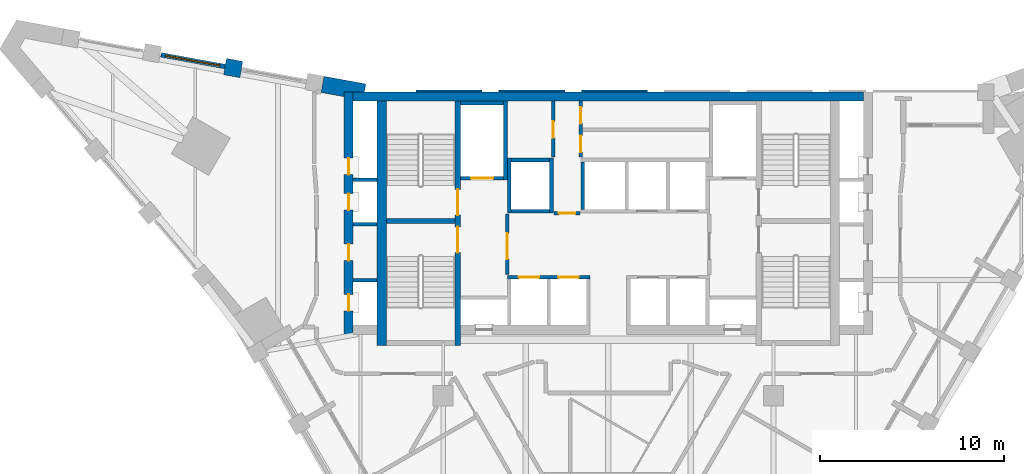
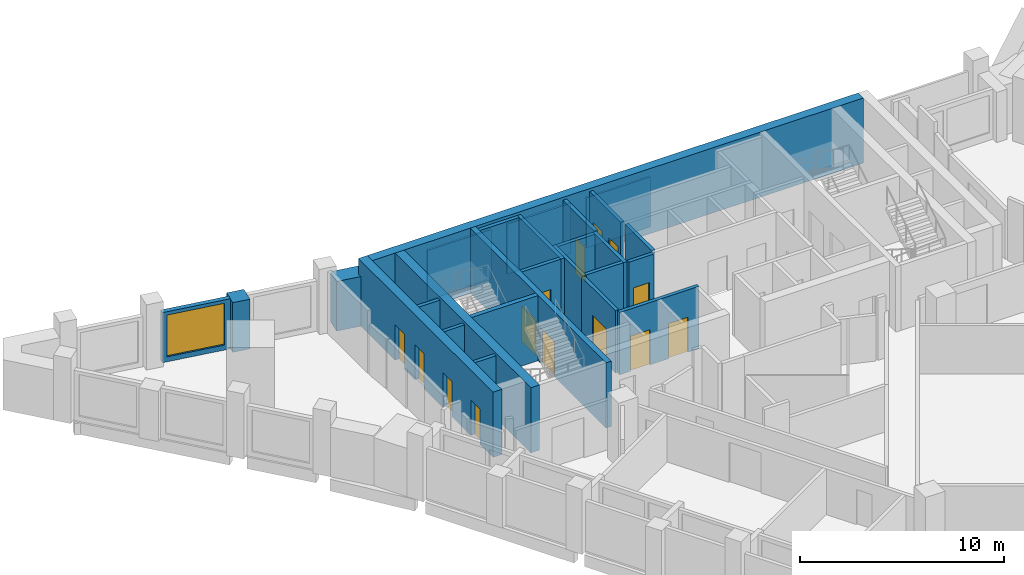
# One storey, part 6 of 9: 27 walls, 14 doors, 1 window, 15 openings.
"""IFC4 building model written with IfcOpenShell, lengths in metres."""

from ifc_helpers import new_model, si_unit, direction, frame, frame_2d, origin, place, context, subcontext, project, spatial, polyline, rectangle, outline, extrude, material, layer, layer_set, type_object, element, fill, save


model = new_model("IFC4")

# Units and contexts
model_context = context("Model", 3, precision=1e-05, world=origin(), true_north=direction((0.0, 1.0)))
body_context = subcontext(model_context, "Body", "Model", "MODEL_VIEW")
ifc_project = project(units=[si_unit("LENGTHUNIT", "METRE"), si_unit("AREAUNIT", "SQUARE_METRE"), si_unit("VOLUMEUNIT", "CUBIC_METRE"), si_unit("PLANEANGLEUNIT", "RADIAN"), si_unit("MASSUNIT", "GRAM", prefix="KILO")], contexts=[model_context])

# Site, building, storey
site_placement = place(None, origin())
site = spatial("IfcSite", under=ifc_project, at=site_placement, CompositionType="ELEMENT")
building_placement = place(site_placement, origin())
building = spatial("IfcBuilding", under=site, at=building_placement, Name="Calabash Gate Tower", CompositionType="ELEMENT")
storey_placement = place(building_placement, frame((0.0, 0.0, 231.5)))
storey = spatial("IfcBuildingStorey", under=building, at=storey_placement, Name="L55", CompositionType="ELEMENT", Elevation=231.5)

# Walls
ifc_material_1 = material(Name="Terracotta brick masonry, exposed face", Category="masonry")
ifc_layer_1 = layer(ifc_material_1, 0.89990234375)
ifc_layer_set_1 = layer_set([ifc_layer_1], Name="Brick end wall 900")
wall_type_1 = type_object("IfcWallType", Name="Brick end wall 900", PredefinedType="SOLIDWALL", material=ifc_layer_set_1)
wall_1_placement = place(storey_placement, frame((-20.52099609375, 19.91796875, 0.0), z_axis=(0.0, 0.0, 1.0), x_axis=(0.180126650564, 0.983643426124, 0.0)))
element("IfcWall", 1, at=wall_1_placement, inside=storey, type_object=wall_type_1, Name="Brick pier S16 wedge5.1", PredefinedType="SOLIDWALL", context=body_context, shape_type="SweptSolid", body=[
    extrude(rectangle(XDim=0.89990234375, YDim=0.89990234375, at=frame_2d((0.449951171875, 0.0))), origin(), (0.0, 0.0, 1.0), 2.9736328125),
])
wall_2_placement = place(storey_placement, origin())
element("IfcWall", 2, at=wall_2_placement, inside=storey, type_object=wall_type_1, Name="Brick end wall S16 1", PredefinedType="SOLIDWALL", context=body_context, shape_type="SweptSolid", body=[
    extrude(outline(polyline([(-15.651611328125, 19.02734375), (-15.65185546875, 19.027099609375), (-14.39990234375, 18.798095703125), (-14.39990234375, 19.052490234375), (-13.291015625, 19.052490234375), (-13.2099609375, 19.4951171875), (-15.489501953125, 19.912353515625), (-15.6513671875, 19.02734375), (-15.651611328125, 19.02734375)])), origin(), (0.0, 0.0, 1.0), 2.9736328125),
])
ifc_material_2 = material(Name="Concrete C70/85", Category="concrete")
ifc_layer_2 = layer(ifc_material_2, 0.25)
ifc_layer_set_2 = layer_set([ifc_layer_2], Name="Core wall 250 Concrete C70/85")
wall_type_2 = type_object("IfcWallType", Name="Core wall 250 Concrete C70/85", PredefinedType="SHEAR", material=ifc_layer_set_2)
wall_3_placement = place(storey_placement, frame((-12.10009765625, 12.027587890625, 0.0), z_axis=(0.0, 0.0, 1.0), x_axis=(1.0, 0.0, 0.0)))
element("IfcWall", 3, at=wall_3_placement, inside=storey, type_object=wall_type_2, Name="Core wall Z4-MIDW L55", PredefinedType="SHEAR", context=body_context, shape_type="SweptSolid", body=[
    extrude(rectangle(XDim=3.75, YDim=0.25, at=frame_2d((1.875, 0.0))), origin(), (0.0, 0.0, 1.0), 3.89990234375),
])

# Wall, openings, doors
ifc_material_3 = material(Name="Concrete C70/85", Category="concrete")
ifc_layer_3 = layer(ifc_material_3, 0.300048828125)
ifc_layer_set_3 = layer_set([ifc_layer_3], Name="Core wall 300 Concrete C70/85")
wall_type_3 = type_object("IfcWallType", Name="Core wall 300 Concrete C70/85", PredefinedType="SHEAR", material=ifc_layer_set_3)
wall_4_placement = place(storey_placement, frame((-8.199951171875, 5.252685546875, 0.0), z_axis=(0.0, 0.0, 1.0), x_axis=(0.0, 1.0, 0.0)))
wall_4 = element("IfcWall", 4, at=wall_4_placement, inside=storey, type_object=wall_type_3, Name="Core wall Z4-PARTW L55", PredefinedType="SHEAR", context=body_context, shape_type="SweptSolid", body=[
    extrude(rectangle(XDim=13.2998046875, YDim=0.300048828125, at=frame_2d((6.64990234375, 0.0))), origin(), (0.0, 0.0, 1.0), 3.89990234375),
])
opening_1_placement = place(wall_4_placement, frame((7.10009765625, 0.0, 0.0)))
opening_1 = element("IfcOpeningElement", 5, at=opening_1_placement, cuts=wall_4, Name="Opening O8-017", PredefinedType="OPENING", context=body_context, shape_type="SweptSolid", body=[
    extrude(rectangle(XDim=1.39990234375, YDim=2.10009765625, at=frame_2d((0.699951171875, 1.050048828125))), frame((0.0, 0.159912109375, 0.0), z_axis=(0.0, -1.0, 0.0), x_axis=(1.0, 0.0, 0.0)), (0.0, 0.0, 1.0), 0.320068359375),
])
opening_2_placement = place(wall_4_placement, frame((5.050048828125, 0.0, 0.0)))
opening_2 = element("IfcOpeningElement", 6, at=opening_2_placement, cuts=wall_4, Name="Opening O8-018", PredefinedType="OPENING", context=body_context, shape_type="SweptSolid", body=[
    extrude(rectangle(XDim=1.39990234375, YDim=2.10009765625, at=frame_2d((0.699951171875, 1.050048828125))), frame((0.0, 0.159912109375, 0.0), z_axis=(0.0, -1.0, 0.0), x_axis=(1.0, 0.0, 0.0)), (0.0, 0.0, 1.0), 0.320068359375),
])
ifc_material_4 = material(Name="Steel fire door set with fire-resisting glazing", Category="steel")
door_type_1 = type_object("IfcDoorType", Name="Fire door D05 1400x2100 FD90", OperationType="NOTDEFINED", PredefinedType="DOOR", material=ifc_material_4)
door_1_placement = place(opening_1_placement, origin())
door_1 = element("IfcDoor", 7, at=door_1_placement, inside=storey, type_object=door_type_1, Name="Exit stair door ST1", OperationType="SINGLE_SWING_LEFT", OverallHeight=2.10009765625, OverallWidth=1.39990234375, PredefinedType="DOOR", context=body_context, shape_type="SweptSolid", body=[
    extrude(rectangle(XDim=1.39990234375, YDim=2.10009765625, at=frame_2d((0.699951171875, 1.050048828125))), frame((0.0, 0.02490234375, 0.0), z_axis=(0.0, -1.0, 0.0), x_axis=(1.0, 0.0, 0.0)), (0.0, 0.0, 1.0), 0.050048828125),
])
fill(opening_1, door_1)
door_2_placement = place(opening_2_placement, origin())
door_2 = element("IfcDoor", 8, at=door_2_placement, inside=storey, type_object=door_type_1, Name="Exit stair door ST2", OperationType="SINGLE_SWING_LEFT", OverallHeight=2.10009765625, OverallWidth=1.39990234375, PredefinedType="DOOR", context=body_context, shape_type="SweptSolid", body=[
    extrude(rectangle(XDim=1.39990234375, YDim=2.10009765625, at=frame_2d((0.699951171875, 1.050048828125))), frame((0.0, 0.02490234375, 0.0), z_axis=(0.0, -1.0, 0.0), x_axis=(1.0, 0.0, 0.0)), (0.0, 0.0, 1.0), 0.050048828125),
])
fill(opening_2, door_2)

# Walls
ifc_material_5 = material(Name="Concrete C70/85", Category="concrete")
ifc_layer_4 = layer(ifc_material_5, 0.5)
ifc_layer_set_4 = layer_set([ifc_layer_4], Name="Core wall 500 Concrete C70/85")
wall_type_4 = type_object("IfcWallType", Name="Core wall 500 Concrete C70/85", PredefinedType="SHEAR", material=ifc_layer_set_4)
wall_5_placement = place(storey_placement, frame((-13.89990234375, 18.802490234375, 0.0), z_axis=(0.0, 0.0, 1.0), x_axis=(1.0, 0.0, 0.0)))
element("IfcWall", 9, at=wall_5_placement, inside=storey, type_object=wall_type_4, Name="Core wall Z4-N L55", PredefinedType="SHEAR", context=body_context, shape_type="SweptSolid", body=[
    extrude(rectangle(XDim=27.7998046875, YDim=0.5, at=frame_2d((13.89990234375, 0.0))), origin(), (0.0, 0.0, 1.0), 3.89990234375),
])
wall_6_placement = place(storey_placement, frame((-12.35009765625, 5.252685546875, 0.0), z_axis=(0.0, 0.0, 1.0), x_axis=(0.0, 1.0, 0.0)))
element("IfcWall", 10, at=wall_6_placement, inside=storey, type_object=wall_type_4, Name="Core wall Z4-COLW L55", PredefinedType="SHEAR", context=body_context, shape_type="SweptSolid", body=[
    extrude(rectangle(XDim=13.2998046875, YDim=0.5, at=frame_2d((6.64990234375, 0.0))), origin(), (0.0, 0.0, 1.0), 3.89990234375),
])

# Wall, openings, doors
wall_7_placement = place(storey_placement, frame((-14.14990234375, 5.8525390625, 0.0), z_axis=(0.0, 0.0, 1.0), x_axis=(0.0, 1.0, 0.0)))
wall_7 = element("IfcWall", 11, at=wall_7_placement, inside=storey, type_object=wall_type_4, Name="Core wall Z4-ENDW L55", PredefinedType="SHEAR", context=body_context, shape_type="SweptSolid", body=[
    extrude(rectangle(XDim=13.199951171875, YDim=0.5, at=frame_2d((6.60009765625, 0.0))), origin(), (0.0, 0.0, 1.0), 3.89990234375),
])
opening_3_placement = place(wall_7_placement, frame((1.27001953125, 0.0, 0.0)))
opening_3 = element("IfcOpeningElement", 12, at=opening_3_placement, cuts=wall_7, Name="Opening O8-005", PredefinedType="OPENING", context=body_context, shape_type="SweptSolid", body=[
    extrude(rectangle(XDim=0.89990234375, YDim=2.10009765625, at=frame_2d((0.449951171875, 1.050048828125))), frame((0.0, 0.260009765625, 0.0), z_axis=(0.0, -1.0, 0.0), x_axis=(1.0, 0.0, 0.0)), (0.0, 0.0, 1.0), 0.52001953125),
])
opening_4_placement = place(wall_7_placement, frame((4.014892578125, 0.0, 0.0)))
opening_4 = element("IfcOpeningElement", 13, at=opening_4_placement, cuts=wall_7, Name="Opening O8-006", PredefinedType="OPENING", context=body_context, shape_type="SweptSolid", body=[
    extrude(rectangle(XDim=0.89990234375, YDim=2.10009765625, at=frame_2d((0.449951171875, 1.050048828125))), frame((0.0, 0.260009765625, 0.0), z_axis=(0.0, -1.0, 0.0), x_axis=(1.0, 0.0, 0.0)), (0.0, 0.0, 1.0), 0.52001953125),
])
opening_5_placement = place(wall_7_placement, frame((6.760009765625, 0.0, 0.0)))
opening_5 = element("IfcOpeningElement", 14, at=opening_5_placement, cuts=wall_7, Name="Opening O8-007", PredefinedType="OPENING", context=body_context, shape_type="SweptSolid", body=[
    extrude(rectangle(XDim=0.89990234375, YDim=2.10009765625, at=frame_2d((0.449951171875, 1.050048828125))), frame((0.0, 0.260009765625, 0.0), z_axis=(0.0, -1.0, 0.0), x_axis=(1.0, 0.0, 0.0)), (0.0, 0.0, 1.0), 0.52001953125),
])
opening_6_placement = place(wall_7_placement, frame((8.697509765625, 0.0, 0.0)))
opening_6 = element("IfcOpeningElement", 15, at=opening_6_placement, cuts=wall_7, Name="Opening O8-008", PredefinedType="OPENING", context=body_context, shape_type="SweptSolid", body=[
    extrude(rectangle(XDim=0.89990234375, YDim=2.10009765625, at=frame_2d((0.449951171875, 1.050048828125))), frame((0.0, 0.260009765625, 0.0), z_axis=(0.0, -1.0, 0.0), x_axis=(1.0, 0.0, 0.0)), (0.0, 0.0, 1.0), 0.52001953125),
])
ifc_material_6 = material(Name="Steel fire door set with fire-resisting glazing", Category="steel")
door_type_2 = type_object("IfcDoorType", Name="Fire door D06 900x2100 FD60", OperationType="NOTDEFINED", PredefinedType="DOOR", material=ifc_material_6)
door_3_placement = place(opening_3_placement, origin())
door_3 = element("IfcDoor", 16, at=door_3_placement, inside=storey, type_object=door_type_2, Name="Comms Riser door", OperationType="SINGLE_SWING_LEFT", OverallHeight=2.10009765625, OverallWidth=0.89990234375, PredefinedType="DOOR", context=body_context, shape_type="SweptSolid", body=[
    extrude(rectangle(XDim=0.89990234375, YDim=2.10009765625, at=frame_2d((0.449951171875, 1.050048828125))), frame((0.0, 0.02490234375, 0.0), z_axis=(0.0, -1.0, 0.0), x_axis=(1.0, 0.0, 0.0)), (0.0, 0.0, 1.0), 0.050048828125),
])
fill(opening_3, door_3)
door_4_placement = place(opening_4_placement, origin())
door_4 = element("IfcDoor", 17, at=door_4_placement, inside=storey, type_object=door_type_2, Name="Cleaner's Store door", OperationType="SINGLE_SWING_LEFT", OverallHeight=2.10009765625, OverallWidth=0.89990234375, PredefinedType="DOOR", context=body_context, shape_type="SweptSolid", body=[
    extrude(rectangle(XDim=0.89990234375, YDim=2.10009765625, at=frame_2d((0.449951171875, 1.050048828125))), frame((0.0, 0.02490234375, 0.0), z_axis=(0.0, -1.0, 0.0), x_axis=(1.0, 0.0, 0.0)), (0.0, 0.0, 1.0), 0.050048828125),
])
fill(opening_4, door_4)
door_5_placement = place(opening_5_placement, origin())
door_5 = element("IfcDoor", 18, at=door_5_placement, inside=storey, type_object=door_type_2, Name="Duct Riser door", OperationType="SINGLE_SWING_LEFT", OverallHeight=2.10009765625, OverallWidth=0.89990234375, PredefinedType="DOOR", context=body_context, shape_type="SweptSolid", body=[
    extrude(rectangle(XDim=0.89990234375, YDim=2.10009765625, at=frame_2d((0.449951171875, 1.050048828125))), frame((0.0, 0.02490234375, 0.0), z_axis=(0.0, -1.0, 0.0), x_axis=(1.0, 0.0, 0.0)), (0.0, 0.0, 1.0), 0.050048828125),
])
fill(opening_5, door_5)
door_6_placement = place(opening_6_placement, origin())
door_6 = element("IfcDoor", 19, at=door_6_placement, inside=storey, type_object=door_type_2, Name="Electrical Riser door", OperationType="SINGLE_SWING_LEFT", OverallHeight=2.10009765625, OverallWidth=0.89990234375, PredefinedType="DOOR", context=body_context, shape_type="SweptSolid", body=[
    extrude(rectangle(XDim=0.89990234375, YDim=2.10009765625, at=frame_2d((0.449951171875, 1.050048828125))), frame((0.0, 0.02490234375, 0.0), z_axis=(0.0, -1.0, 0.0), x_axis=(1.0, 0.0, 0.0)), (0.0, 0.0, 1.0), 0.050048828125),
])
fill(opening_6, door_6)

# Wall, opening, window
ifc_material_7 = material(Name="Aluminium framed window wall with insulated spandrel", Category="aluminium")
ifc_layer_5 = layer(ifc_material_7, 0.25)
ifc_layer_set_5 = layer_set([ifc_layer_5], Name="Prow window wall 250")
wall_type_5 = type_object("IfcWallType", Name="Prow window wall 250", PredefinedType="ELEMENTEDWALL", material=ifc_layer_set_5)
wall_8_placement = place(storey_placement, frame((-20.880615234375, 20.441162109375, 0.0), z_axis=(0.0, 0.0, 1.0), x_axis=(-0.98366583261, 0.180004249274, 0.0)))
wall_8 = element("IfcWall", 20, at=wall_8_placement, inside=storey, type_object=wall_type_5, Name="Prow window wall S16 wedge5.2", PredefinedType="ELEMENTEDWALL", context=body_context, shape_type="SweptSolid", body=[
    extrude(rectangle(XDim=3.55224609375, YDim=0.25, at=frame_2d((1.776123046875, 0.0))), origin(), (0.0, 0.0, 1.0), 3.0),
])
opening_7_placement = place(wall_8_placement, frame((0.302001953125, 0.0, 0.300048828125)))
opening_7 = element("IfcOpeningElement", 21, at=opening_7_placement, cuts=wall_8, Name="Opening WP2", PredefinedType="OPENING", context=body_context, shape_type="SweptSolid", body=[
    extrude(rectangle(XDim=3.0, YDim=2.5, at=frame_2d((1.5, 1.25))), frame((0.0, 0.135009765625, 0.0), z_axis=(0.0, -1.0, 0.0), x_axis=(1.0, 0.0, 0.0)), (0.0, 0.0, 1.0), 0.27001953125),
])
ifc_material_8 = material(Name="Anodised aluminium frame, bronze finish, impact-rated laminated clear glazing", Category="aluminium")
window_type = type_object("IfcWindowType", Name="Window WP2 3000x2500", PartitioningType="DOUBLE_PANEL_VERTICAL", PredefinedType="WINDOW", material=ifc_material_8)
window_placement = place(opening_7_placement, origin())
window = element("IfcWindow", 22, at=window_placement, inside=storey, type_object=window_type, Name="Prow window WP2 S16 wedge5.2", OverallHeight=2.5, OverallWidth=3.0, PartitioningType="SINGLE_PANEL", PredefinedType="WINDOW", context=body_context, shape_type="SweptSolid", body=[
    extrude(rectangle(XDim=3.0, YDim=2.5, at=frame_2d((1.5, 1.25))), frame((0.0, 0.030029296875, 0.0), z_axis=(0.0, -1.0, 0.0), x_axis=(1.0, 0.0, 0.0)), (0.0, 0.0, 1.0), 0.06005859375),
])
fill(opening_7, window)

# Wall
ifc_material_9 = material(Name="Concrete C40/50", Category="concrete")
ifc_layer_6 = layer(ifc_material_9, 0.199951171875)
ifc_layer_set_6 = layer_set([ifc_layer_6], Name="Shaft wall 200 Concrete C40/50")
wall_type_6 = type_object("IfcWallType", Name="Shaft wall 200 Concrete C40/50", PredefinedType="SOLIDWALL", material=ifc_layer_set_6)
wall_9_placement = place(storey_placement, frame((-13.89990234375, 8.79248046875, 0.0), z_axis=(0.0, 0.0, 1.0), x_axis=(1.0, 0.0, 0.0)))
element("IfcWall", 23, at=wall_9_placement, inside=storey, type_object=wall_type_6, Name="Shaft wall", PredefinedType="SOLIDWALL", context=body_context, shape_type="SweptSolid", body=[
    extrude(rectangle(XDim=1.2998046875, YDim=0.199951171875, at=frame_2d((0.64990234375, 0.0))), origin(), (0.0, 0.0, 1.0), 3.72998046875),
])

# Wall, openings, doors
wall_10_placement = place(storey_placement, frame((-5.5, 8.95263671875, 0.0), z_axis=(0.0, 0.0, 1.0), x_axis=(1.0, 0.0, 0.0)))
wall_10 = element("IfcWall", 24, at=wall_10_placement, inside=storey, type_object=wall_type_6, Name="Shaft wall", PredefinedType="SOLIDWALL", context=body_context, shape_type="SweptSolid", body=[
    extrude(rectangle(XDim=4.5, YDim=0.199951171875, at=frame_2d((2.25, 0.0))), origin(), (0.0, 0.0, 1.0), 3.72998046875),
])
opening_8_placement = place(wall_10_placement, frame((0.625, 0.0, 0.0)))
opening_8 = element("IfcOpeningElement", 25, at=opening_8_placement, cuts=wall_10, Name="Opening LD-HR1", PredefinedType="OPENING", context=body_context, shape_type="SweptSolid", body=[
    extrude(rectangle(XDim=1.10009765625, YDim=2.10009765625, at=frame_2d((0.550048828125, 1.050048828125))), frame((0.0, 0.10986328125, 0.0), z_axis=(0.0, -1.0, 0.0), x_axis=(1.0, 0.0, 0.0)), (0.0, 0.0, 1.0), 0.219970703125),
])
opening_9_placement = place(wall_10_placement, frame((2.77490234375, 0.0, 0.0)))
opening_9 = element("IfcOpeningElement", 26, at=opening_9_placement, cuts=wall_10, Name="Opening LD-HR2", PredefinedType="OPENING", context=body_context, shape_type="SweptSolid", body=[
    extrude(rectangle(XDim=1.10009765625, YDim=2.10009765625, at=frame_2d((0.550048828125, 1.050048828125))), frame((0.0, 0.10986328125, 0.0), z_axis=(0.0, -1.0, 0.0), x_axis=(1.0, 0.0, 0.0)), (0.0, 0.0, 1.0), 0.219970703125),
])
ifc_material_10 = material(Name="Stainless steel sliding door leaves", Category="steel")
door_type_3 = type_object("IfcDoorType", Name="Lift landing door LS1 1100x2100 FD90", OperationType="DOUBLE_DOOR_SLIDING", PredefinedType="DOOR", material=ifc_material_10)
door_7_placement = place(opening_8_placement, origin())
door_7 = element("IfcDoor", 27, at=door_7_placement, inside=storey, type_object=door_type_3, Name="Lift landing door HR1", OperationType="DOUBLE_DOOR_SLIDING", OverallHeight=2.10009765625, OverallWidth=1.10009765625, PredefinedType="DOOR", context=body_context, shape_type="SweptSolid", body=[
    extrude(rectangle(XDim=1.10009765625, YDim=2.10009765625, at=frame_2d((0.550048828125, 1.050048828125))), frame((0.0, 0.02490234375, 0.0), z_axis=(0.0, -1.0, 0.0), x_axis=(1.0, 0.0, 0.0)), (0.0, 0.0, 1.0), 0.050048828125),
])
fill(opening_8, door_7)
door_8_placement = place(opening_9_placement, origin())
door_8 = element("IfcDoor", 28, at=door_8_placement, inside=storey, type_object=door_type_3, Name="Lift landing door HR2", OperationType="DOUBLE_DOOR_SLIDING", OverallHeight=2.10009765625, OverallWidth=1.10009765625, PredefinedType="DOOR", context=body_context, shape_type="SweptSolid", body=[
    extrude(rectangle(XDim=1.10009765625, YDim=2.10009765625, at=frame_2d((0.550048828125, 1.050048828125))), frame((0.0, 0.02490234375, 0.0), z_axis=(0.0, -1.0, 0.0), x_axis=(1.0, 0.0, 0.0)), (0.0, 0.0, 1.0), 0.050048828125),
])
fill(opening_9, door_8)

# Wall, opening, door
wall_11_placement = place(storey_placement, frame((-5.5, 9.1025390625, 0.0), z_axis=(0.0, 0.0, 1.0), x_axis=(0.0, 1.0, 0.0)))
wall_11 = element("IfcWall", 29, at=wall_11_placement, inside=storey, type_object=wall_type_6, Name="Shaft wall", PredefinedType="SOLIDWALL", context=body_context, shape_type="SweptSolid", body=[
    extrude(rectangle(XDim=3.300048828125, YDim=0.199951171875, at=frame_2d((1.64990234375, 0.0))), origin(), (0.0, 0.0, 1.0), 3.72998046875),
])
opening_10_placement = place(wall_11_placement, frame((0.85009765625, 0.0, 0.0)))
opening_10 = element("IfcOpeningElement", 30, at=opening_10_placement, cuts=wall_11, Name="Opening O8-011", PredefinedType="OPENING", context=body_context, shape_type="SweptSolid", body=[
    extrude(rectangle(XDim=1.39990234375, YDim=2.10009765625, at=frame_2d((0.699951171875, 1.050048828125))), frame((0.0, 0.10986328125, 0.0), z_axis=(0.0, -1.0, 0.0), x_axis=(1.0, 0.0, 0.0)), (0.0, 0.0, 1.0), 0.219970703125),
])
door_9_placement = place(opening_10_placement, origin())
door_9 = element("IfcDoor", 31, at=door_9_placement, inside=storey, type_object=door_type_1, Name="Firefighting Lobby W door", OperationType="SINGLE_SWING_RIGHT", OverallHeight=2.10009765625, OverallWidth=1.39990234375, PredefinedType="DOOR", context=body_context, shape_type="SweptSolid", body=[
    extrude(rectangle(XDim=1.39990234375, YDim=2.10009765625, at=frame_2d((0.699951171875, 1.050048828125))), frame((0.0, 0.02490234375, 0.0), z_axis=(0.0, -1.0, 0.0), x_axis=(1.0, 0.0, 0.0)), (0.0, 0.0, 1.0), 0.050048828125),
])
fill(opening_10, door_9)

# Wall
wall_12_placement = place(storey_placement, frame((-13.89990234375, 11.842529296875, 0.0), z_axis=(0.0, 0.0, 1.0), x_axis=(1.0, 0.0, 0.0)))
element("IfcWall", 32, at=wall_12_placement, inside=storey, type_object=wall_type_6, Name="Shaft wall", PredefinedType="SOLIDWALL", context=body_context, shape_type="SweptSolid", body=[
    extrude(rectangle(XDim=1.2998046875, YDim=0.199951171875, at=frame_2d((0.64990234375, 0.0))), origin(), (0.0, 0.0, 1.0), 3.72998046875),
])

# Wall, opening, door
wall_13_placement = place(storey_placement, frame((-2.949951171875, 12.45263671875, 0.0), z_axis=(0.0, 0.0, 1.0), x_axis=(1.0, 0.0, 0.0)))
wall_13 = element("IfcWall", 33, at=wall_13_placement, inside=storey, type_object=wall_type_6, Name="Shaft wall", PredefinedType="SOLIDWALL", context=body_context, shape_type="SweptSolid", body=[
    extrude(rectangle(XDim=1.39990234375, YDim=0.199951171875, at=frame_2d((0.699951171875, 0.0))), origin(), (0.0, 0.0, 1.0), 3.72998046875),
])
opening_11_placement = place(wall_13_placement, frame((0.25, 0.0, 0.0)))
opening_11 = element("IfcOpeningElement", 34, at=opening_11_placement, cuts=wall_13, Name="Opening O8-009", PredefinedType="OPENING", context=body_context, shape_type="SweptSolid", body=[
    extrude(rectangle(XDim=0.89990234375, YDim=2.10009765625, at=frame_2d((0.449951171875, 1.050048828125))), frame((0.0, 0.10986328125, 0.0), z_axis=(0.0, -1.0, 0.0), x_axis=(1.0, 0.0, 0.0)), (0.0, 0.0, 1.0), 0.219970703125),
])
door_10_placement = place(opening_11_placement, origin())
door_10 = element("IfcDoor", 35, at=door_10_placement, inside=storey, type_object=door_type_2, Name="Service Corridor door", OperationType="SINGLE_SWING_RIGHT", OverallHeight=2.10009765625, OverallWidth=0.89990234375, PredefinedType="DOOR", context=body_context, shape_type="SweptSolid", body=[
    extrude(rectangle(XDim=0.89990234375, YDim=2.10009765625, at=frame_2d((0.449951171875, 1.050048828125))), frame((0.0, 0.02490234375, 0.0), z_axis=(0.0, -1.0, 0.0), x_axis=(1.0, 0.0, 0.0)), (0.0, 0.0, 1.0), 0.050048828125),
])
fill(opening_11, door_10)

# Walls
wall_14_placement = place(storey_placement, frame((-5.39990234375, 12.45263671875, 0.0), z_axis=(0.0, 0.0, 1.0), x_axis=(0.0, 1.0, 0.0)))
element("IfcWall", 36, at=wall_14_placement, inside=storey, type_object=wall_type_6, Name="Shaft wall", PredefinedType="SOLIDWALL", context=body_context, shape_type="SweptSolid", body=[
    extrude(rectangle(XDim=3.0, YDim=0.199951171875, at=frame_2d((1.5, 0.0))), origin(), (0.0, 0.0, 1.0), 3.72998046875),
])
wall_15_placement = place(storey_placement, frame((-5.300048828125, 12.552490234375, 0.0), z_axis=(0.0, 0.0, 1.0), x_axis=(1.0, 0.0, 0.0)))
element("IfcWall", 37, at=wall_15_placement, inside=storey, type_object=wall_type_6, Name="Shaft wall", PredefinedType="SOLIDWALL", context=body_context, shape_type="SweptSolid", body=[
    extrude(rectangle(XDim=2.10009765625, YDim=0.199951171875, at=frame_2d((1.050048828125, 0.0))), origin(), (0.0, 0.0, 1.0), 3.72998046875),
])
wall_16_placement = place(storey_placement, frame((-3.10009765625, 12.45263671875, 0.0), z_axis=(0.0, 0.0, 1.0), x_axis=(0.0, 1.0, 0.0)))
element("IfcWall", 38, at=wall_16_placement, inside=storey, type_object=wall_type_6, Name="Shaft wall", PredefinedType="SOLIDWALL", context=body_context, shape_type="SweptSolid", body=[
    extrude(rectangle(XDim=3.0, YDim=0.199951171875, at=frame_2d((1.5, 0.0))), origin(), (0.0, 0.0, 1.0), 3.72998046875),
])
wall_17_placement = place(storey_placement, frame((-1.39990234375, 12.652587890625, 0.0), z_axis=(0.0, 0.0, 1.0), x_axis=(0.0, 1.0, 0.0)))
element("IfcWall", 39, at=wall_17_placement, inside=storey, type_object=wall_type_6, Name="Shaft wall", PredefinedType="SOLIDWALL", context=body_context, shape_type="SweptSolid", body=[
    extrude(rectangle(XDim=2.60009765625, YDim=0.199951171875, at=frame_2d((1.300048828125, 0.0))), origin(), (0.0, 0.0, 1.0), 3.72998046875),
])
wall_18_placement = place(storey_placement, frame((-13.89990234375, 14.28271484375, 0.0), z_axis=(0.0, 0.0, 1.0), x_axis=(1.0, 0.0, 0.0)))
element("IfcWall", 40, at=wall_18_placement, inside=storey, type_object=wall_type_6, Name="Shaft wall", PredefinedType="SOLIDWALL", context=body_context, shape_type="SweptSolid", body=[
    extrude(rectangle(XDim=1.2998046875, YDim=0.199951171875, at=frame_2d((0.64990234375, 0.0))), origin(), (0.0, 0.0, 1.0), 3.72998046875),
])

# Wall, opening, door
wall_19_placement = place(storey_placement, frame((-8.050048828125, 14.3525390625, 0.0), z_axis=(0.0, 0.0, 1.0), x_axis=(1.0, 0.0, 0.0)))
wall_19 = element("IfcWall", 41, at=wall_19_placement, inside=storey, type_object=wall_type_6, Name="Shaft wall", PredefinedType="SOLIDWALL", context=body_context, shape_type="SweptSolid", body=[
    extrude(rectangle(XDim=2.35009765625, YDim=0.199951171875, at=frame_2d((1.175048828125, 0.0))), origin(), (0.0, 0.0, 1.0), 3.72998046875),
])
opening_12_placement = place(wall_19_placement, frame((0.574951171875, 0.0, 0.0)))
opening_12 = element("IfcOpeningElement", 42, at=opening_12_placement, cuts=wall_19, Name="Opening LD-FF1", PredefinedType="OPENING", context=body_context, shape_type="SweptSolid", body=[
    extrude(rectangle(XDim=1.199951171875, YDim=2.10009765625, at=frame_2d((0.60009765625, 1.050048828125))), frame((0.0, 0.10986328125, 0.0), z_axis=(0.0, -1.0, 0.0), x_axis=(1.0, 0.0, 0.0)), (0.0, 0.0, 1.0), 0.219970703125),
])
ifc_material_11 = material(Name="Stainless steel sliding door leaves", Category="steel")
door_type_4 = type_object("IfcDoorType", Name="Lift landing door LS3 1200x2100 FD90", OperationType="DOUBLE_DOOR_SLIDING", PredefinedType="DOOR", material=ifc_material_11)
door_11_placement = place(opening_12_placement, origin())
door_11 = element("IfcDoor", 43, at=door_11_placement, inside=storey, type_object=door_type_4, Name="Lift landing door FF1", OperationType="DOUBLE_DOOR_SLIDING", OverallHeight=2.10009765625, OverallWidth=1.199951171875, PredefinedType="DOOR", context=body_context, shape_type="SweptSolid", body=[
    extrude(rectangle(XDim=1.199951171875, YDim=2.10009765625, at=frame_2d((0.60009765625, 1.050048828125))), frame((0.0, 0.02490234375, 0.0), z_axis=(0.0, -1.0, 0.0), x_axis=(1.0, 0.0, 0.0)), (0.0, 0.0, 1.0), 0.050048828125),
])
fill(opening_12, door_11)

# Walls
wall_20_placement = place(storey_placement, frame((-5.60009765625, 14.252685546875, 0.0), z_axis=(0.0, 0.0, 1.0), x_axis=(0.0, 1.0, 0.0)))
element("IfcWall", 44, at=wall_20_placement, inside=storey, type_object=wall_type_6, Name="Shaft wall", PredefinedType="SOLIDWALL", context=body_context, shape_type="SweptSolid", body=[
    extrude(rectangle(XDim=4.2998046875, YDim=0.199951171875, at=frame_2d((2.14990234375, 0.0))), origin(), (0.0, 0.0, 1.0), 3.72998046875),
])
wall_21_placement = place(storey_placement, frame((-5.300048828125, 15.3525390625, 0.0), z_axis=(0.0, 0.0, 1.0), x_axis=(1.0, 0.0, 0.0)))
element("IfcWall", 45, at=wall_21_placement, inside=storey, type_object=wall_type_6, Name="Shaft wall", PredefinedType="SOLIDWALL", context=body_context, shape_type="SweptSolid", body=[
    extrude(rectangle(XDim=2.10009765625, YDim=0.199951171875, at=frame_2d((1.050048828125, 0.0))), origin(), (0.0, 0.0, 1.0), 3.72998046875),
])

# Wall, opening, door
wall_22_placement = place(storey_placement, frame((-3.0, 15.502685546875, 0.0), z_axis=(0.0, 0.0, 1.0), x_axis=(0.0, 1.0, 0.0)))
wall_22 = element("IfcWall", 46, at=wall_22_placement, inside=storey, type_object=wall_type_6, Name="Shaft wall", PredefinedType="SOLIDWALL", context=body_context, shape_type="SweptSolid", body=[
    extrude(rectangle(XDim=3.0498046875, YDim=0.199951171875, at=frame_2d((1.52490234375, 0.0))), origin(), (0.0, 0.0, 1.0), 3.72998046875),
])
opening_13_placement = place(wall_22_placement, frame((1.050048828125, 0.0, 0.0)))
opening_13 = element("IfcOpeningElement", 47, at=opening_13_placement, cuts=wall_22, Name="Opening O8-012", PredefinedType="OPENING", context=body_context, shape_type="SweptSolid", body=[
    extrude(rectangle(XDim=0.89990234375, YDim=2.10009765625, at=frame_2d((0.449951171875, 1.050048828125))), frame((0.0, 0.10986328125, 0.0), z_axis=(0.0, -1.0, 0.0), x_axis=(1.0, 0.0, 0.0)), (0.0, 0.0, 1.0), 0.219970703125),
])
door_12_placement = place(opening_13_placement, origin())
door_12 = element("IfcDoor", 48, at=door_12_placement, inside=storey, type_object=door_type_2, Name="Accessible WC door", OperationType="SINGLE_SWING_LEFT", OverallHeight=2.10009765625, OverallWidth=0.89990234375, PredefinedType="DOOR", context=body_context, shape_type="SweptSolid", body=[
    extrude(rectangle(XDim=0.89990234375, YDim=2.10009765625, at=frame_2d((0.449951171875, 1.050048828125))), frame((0.0, 0.02490234375, 0.0), z_axis=(0.0, -1.0, 0.0), x_axis=(1.0, 0.0, 0.0)), (0.0, 0.0, 1.0), 0.050048828125),
])
fill(opening_13, door_12)

# Wall, openings, doors
wall_23_placement = place(storey_placement, frame((-1.5, 15.502685546875, 0.0), z_axis=(0.0, 0.0, 1.0), x_axis=(0.0, 1.0, 0.0)))
wall_23 = element("IfcWall", 49, at=wall_23_placement, inside=storey, type_object=wall_type_6, Name="Shaft wall", PredefinedType="SOLIDWALL", context=body_context, shape_type="SweptSolid", body=[
    extrude(rectangle(XDim=3.0498046875, YDim=0.199951171875, at=frame_2d((1.52490234375, 0.0))), origin(), (0.0, 0.0, 1.0), 3.72998046875),
])
opening_14_placement = place(wall_23_placement, frame((0.27490234375, 0.0, 0.0)))
opening_14 = element("IfcOpeningElement", 50, at=opening_14_placement, cuts=wall_23, Name="Opening O8-013", PredefinedType="OPENING", context=body_context, shape_type="SweptSolid", body=[
    extrude(rectangle(XDim=0.89990234375, YDim=2.10009765625, at=frame_2d((0.449951171875, 1.050048828125))), frame((0.0, 0.10986328125, 0.0), z_axis=(0.0, -1.0, 0.0), x_axis=(1.0, 0.0, 0.0)), (0.0, 0.0, 1.0), 0.219970703125),
])
opening_15_placement = place(wall_23_placement, frame((1.824951171875, 0.0, 0.0)))
opening_15 = element("IfcOpeningElement", 51, at=opening_15_placement, cuts=wall_23, Name="Opening O8-014", PredefinedType="OPENING", context=body_context, shape_type="SweptSolid", body=[
    extrude(rectangle(XDim=0.89990234375, YDim=2.10009765625, at=frame_2d((0.449951171875, 1.050048828125))), frame((0.0, 0.10986328125, 0.0), z_axis=(0.0, -1.0, 0.0), x_axis=(1.0, 0.0, 0.0)), (0.0, 0.0, 1.0), 0.219970703125),
])
door_13_placement = place(opening_14_placement, origin())
door_13 = element("IfcDoor", 52, at=door_13_placement, inside=storey, type_object=door_type_2, Name="Tenant Pantry door", OperationType="SINGLE_SWING_LEFT", OverallHeight=2.10009765625, OverallWidth=0.89990234375, PredefinedType="DOOR", context=body_context, shape_type="SweptSolid", body=[
    extrude(rectangle(XDim=0.89990234375, YDim=2.10009765625, at=frame_2d((0.449951171875, 1.050048828125))), frame((0.0, 0.02490234375, 0.0), z_axis=(0.0, -1.0, 0.0), x_axis=(1.0, 0.0, 0.0)), (0.0, 0.0, 1.0), 0.050048828125),
])
fill(opening_14, door_13)
door_14_placement = place(opening_15_placement, origin())
door_14 = element("IfcDoor", 53, at=door_14_placement, inside=storey, type_object=door_type_2, Name="Print Room door", OperationType="SINGLE_SWING_LEFT", OverallHeight=2.10009765625, OverallWidth=0.89990234375, PredefinedType="DOOR", context=body_context, shape_type="SweptSolid", body=[
    extrude(rectangle(XDim=0.89990234375, YDim=2.10009765625, at=frame_2d((0.449951171875, 1.050048828125))), frame((0.0, 0.02490234375, 0.0), z_axis=(0.0, -1.0, 0.0), x_axis=(1.0, 0.0, 0.0)), (0.0, 0.0, 1.0), 0.050048828125),
])
fill(opening_15, door_14)

# Walls
wall_24_placement = place(storey_placement, frame((-8.050048828125, 18.45263671875, 0.0), z_axis=(0.0, 0.0, 1.0), x_axis=(1.0, 0.0, 0.0)))
element("IfcWall", 54, at=wall_24_placement, inside=storey, type_object=wall_type_6, Name="Shaft wall", PredefinedType="SOLIDWALL", context=body_context, shape_type="SweptSolid", body=[
    extrude(rectangle(XDim=2.35009765625, YDim=0.199951171875, at=frame_2d((1.175048828125, 0.0))), origin(), (0.0, 0.0, 1.0), 3.72998046875),
])
ifc_material_12 = material(Name="Terracotta brick masonry, perforated", Category="masonry")
ifc_layer_7 = layer(ifc_material_12, 0.1201171875)
ifc_layer_set_7 = layer_set([ifc_layer_7], Name="Terracotta jaali cladding B 120")
wall_type_7 = type_object("IfcWallType", Name="Terracotta jaali cladding B 120", PredefinedType="SOLIDWALL", material=ifc_layer_set_7)
wall_25_placement = place(storey_placement, origin())
element("IfcWall", 55, at=wall_25_placement, inside=storey, type_object=wall_type_7, Name="Jaali cladding S16 N4.5", PredefinedType="SOLIDWALL", context=body_context, shape_type="SweptSolid", body=[
    extrude(outline(polyline([(-1.47314453125, 19.172607421875), (-1.47314453125, 19.052490234375), (2.126953125, 19.052490234375), (2.126953125, 19.172607421875), (-1.47314453125, 19.172607421875)])), origin(), (0.0, 0.0, 1.0), 3.0),
])
wall_26_placement = place(storey_placement, origin())
element("IfcWall", 56, at=wall_26_placement, inside=storey, type_object=wall_type_7, Name="Jaali cladding S16 N4.7", PredefinedType="SOLIDWALL", context=body_context, shape_type="SweptSolid", body=[
    extrude(outline(polyline([(-10.47314453125, 19.172607421875), (-10.47314453125, 19.052490234375), (-6.873046875, 19.052490234375), (-6.873046875, 19.172607421875), (-10.47314453125, 19.172607421875)])), origin(), (0.0, 0.0, 1.0), 3.0),
])
ifc_material_13 = material(Name="Terracotta louvre blades in an aluminium frame", Category="masonry")
ifc_layer_8 = layer(ifc_material_13, 0.1201171875)
ifc_layer_set_8 = layer_set([ifc_layer_8], Name="Terracotta vent louvre cladding 120")
wall_type_8 = type_object("IfcWallType", Name="Terracotta vent louvre cladding 120", PredefinedType="ELEMENTEDWALL", material=ifc_layer_set_8)
wall_27_placement = place(storey_placement, origin())
element("IfcWall", 57, at=wall_27_placement, inside=storey, type_object=wall_type_8, Name="Vent louvre cladding S16 N4.6", PredefinedType="ELEMENTEDWALL", context=body_context, shape_type="SweptSolid", body=[
    extrude(outline(polyline([(-5.97314453125, 19.172607421875), (-5.97314453125, 19.052490234375), (-2.373046875, 19.052490234375), (-2.373046875, 19.172607421875), (-5.97314453125, 19.172607421875)])), origin(), (0.0, 0.0, 1.0), 3.0),
])

save(model, "model.ifc")
